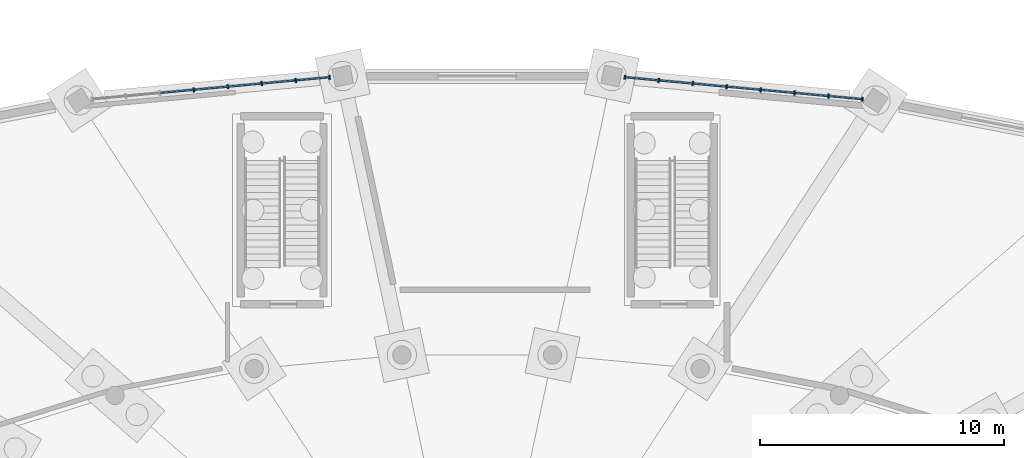
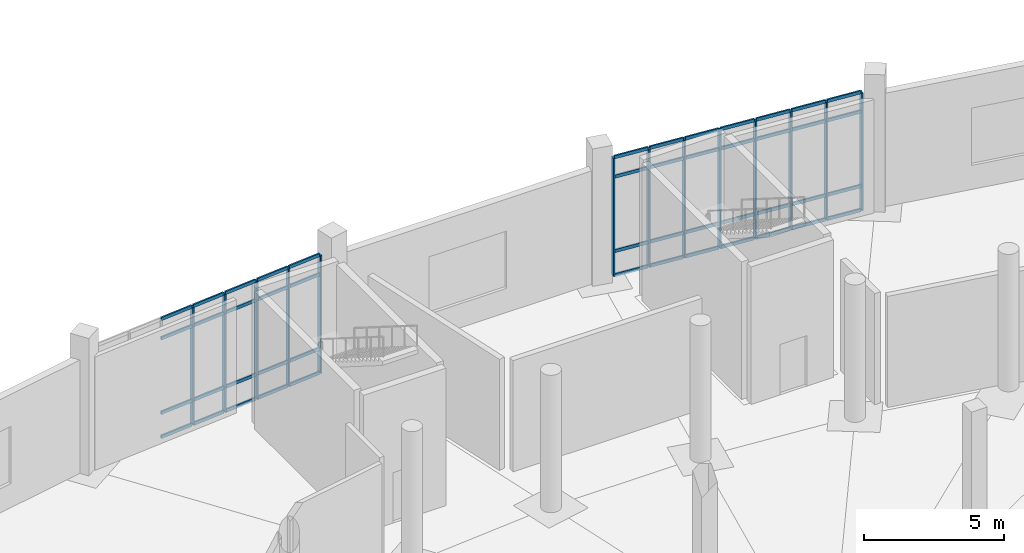
# One storey, part 55 of 140: 61 members, 2 elements without a shape of their own.
"""IFC4 building model written with IfcOpenShell, lengths in metres."""

from ifc_helpers import new_model, si_unit, direction, frame, origin, origin_2d, place, context, subcontext, project, spatial, rectangle, extrude, material, layer, layer_set, material_profile, profile_set, type_object, element, aggregate, save


model = new_model("IFC4")

# Units and contexts
model_context = context("Model", 3, precision=1e-05, world=origin(), true_north=direction((0.0, 1.0)))
body_context = subcontext(model_context, "Body", "Model", "MODEL_VIEW")
ifc_project = project(units=[si_unit("LENGTHUNIT", "METRE"), si_unit("AREAUNIT", "SQUARE_METRE"), si_unit("VOLUMEUNIT", "CUBIC_METRE"), si_unit("PLANEANGLEUNIT", "RADIAN"), si_unit("MASSUNIT", "GRAM", prefix="KILO")], contexts=[model_context])

# Site, building, storey
site_placement = place(None, origin())
site = spatial("IfcSite", under=ifc_project, at=site_placement, CompositionType="ELEMENT")
building_placement = place(site_placement, origin())
building = spatial("IfcBuilding", under=site, at=building_placement, Name="Corvandel Quay Wholesale Market", CompositionType="ELEMENT")
storey_placement = place(building_placement, origin())
storey = spatial("IfcBuildingStorey", under=building, at=storey_placement, Name="L00", CompositionType="ELEMENT", Elevation=0.0)

# Curtain wall, members
ifc_material_1 = material(Name="Bronze anodised aluminium and low-E insulated glazing", Category="aluminium")
ifc_layer_1 = layer(ifc_material_1, 0.197998046875)
ifc_layer_set_1 = layer_set([ifc_layer_1], Name="Bronze anodised aluminium and low-E insulated glazing")
curtain_wall_type_1 = type_object("IfcCurtainWallType", Name="Stick Curtain Wall System CW09 H3810", PredefinedType="NOTDEFINED", material=ifc_layer_set_1)
curtain_wall_1_placement = place(storey_placement, origin())
curtain_wall_1 = element("IfcCurtainWall", 1, at=curtain_wall_1_placement, inside=storey, type_object=curtain_wall_type_1, Name="Curtain Wall CW-0096", PredefinedType="NOTDEFINED")
ifc_material_2 = material(Name="Anodised aluminium 6063-T6", Category="aluminium")
ifc_material_profile_1 = material_profile(ifc_material_2, rectangle(XDim=0.06494140625, YDim=0.179931640625, at=origin_2d()), Name="ALU-MUL-65x180")
ifc_profile_set_1 = profile_set([ifc_material_profile_1], Name="Anodised aluminium 6063-T6")
member_type_1 = type_object("IfcMemberType", Name="Curtain Wall Mullion ML01 65x180", PredefinedType="MULLION", material=ifc_profile_set_1)
member_1_placement = place(storey_placement, frame((129.79736328125, 141.05078125, 0.0), z_axis=(0.0, 0.0, 1.0), x_axis=(-0.995756880939, 0.092023008338, 0.0)))
member_1 = element("IfcMember", 2, at=member_1_placement, type_object=member_type_1, Name="Mullion CW-0096-M00", PredefinedType="MULLION", context=body_context, shape_type="SweptSolid", body=[
    extrude(rectangle(XDim=0.06494140625, YDim=0.179931640625, at=origin_2d()), origin(), (0.0, 0.0, 1.0), 5.14990234375),
])
member_2_placement = place(storey_placement, frame((128.405517578125, 141.17919921875, 0.0), z_axis=(0.0, 0.0, 1.0), x_axis=(-0.995756880939, 0.092023008338, 0.0)))
member_2 = element("IfcMember", 3, at=member_2_placement, type_object=member_type_1, Name="Mullion CW-0096-M01", PredefinedType="MULLION", context=body_context, shape_type="SweptSolid", body=[
    extrude(rectangle(XDim=0.06494140625, YDim=0.179931640625, at=origin_2d()), origin(), (0.0, 0.0, 1.0), 5.14990234375),
])
member_3_placement = place(storey_placement, frame((127.013427734375, 141.3076171875, 0.0), z_axis=(0.0, 0.0, 1.0), x_axis=(-0.995756880939, 0.092023008338, 0.0)))
member_3 = element("IfcMember", 4, at=member_3_placement, type_object=member_type_1, Name="Mullion CW-0096-M02", PredefinedType="MULLION", context=body_context, shape_type="SweptSolid", body=[
    extrude(rectangle(XDim=0.06494140625, YDim=0.179931640625, at=origin_2d()), origin(), (0.0, 0.0, 1.0), 5.14990234375),
])
member_4_placement = place(storey_placement, frame((125.62158203125, 141.436279296875, 0.0), z_axis=(0.0, 0.0, 1.0), x_axis=(-0.995756880939, 0.092023008338, 0.0)))
member_4 = element("IfcMember", 5, at=member_4_placement, type_object=member_type_1, Name="Mullion CW-0096-M03", PredefinedType="MULLION", context=body_context, shape_type="SweptSolid", body=[
    extrude(rectangle(XDim=0.06494140625, YDim=0.179931640625, at=origin_2d()), origin(), (0.0, 0.0, 1.0), 5.14990234375),
])
member_5_placement = place(storey_placement, frame((124.2294921875, 141.564697265625, 0.0), z_axis=(0.0, 0.0, 1.0), x_axis=(-0.995756880939, 0.092023008338, 0.0)))
member_5 = element("IfcMember", 6, at=member_5_placement, type_object=member_type_1, Name="Mullion CW-0096-M04", PredefinedType="MULLION", context=body_context, shape_type="SweptSolid", body=[
    extrude(rectangle(XDim=0.06494140625, YDim=0.179931640625, at=origin_2d()), origin(), (0.0, 0.0, 1.0), 5.14990234375),
])
member_6_placement = place(storey_placement, frame((122.837646484375, 141.693359375, 0.0), z_axis=(0.0, 0.0, 1.0), x_axis=(-0.995756880939, 0.092023008338, 0.0)))
member_6 = element("IfcMember", 7, at=member_6_placement, type_object=member_type_1, Name="Mullion CW-0096-M05", PredefinedType="MULLION", context=body_context, shape_type="SweptSolid", body=[
    extrude(rectangle(XDim=0.06494140625, YDim=0.179931640625, at=origin_2d()), origin(), (0.0, 0.0, 1.0), 5.14990234375),
])
member_7_placement = place(storey_placement, frame((121.445556640625, 141.82177734375, 0.0), z_axis=(0.0, 0.0, 1.0), x_axis=(-0.995756880939, 0.092023008338, 0.0)))
member_7 = element("IfcMember", 8, at=member_7_placement, type_object=member_type_1, Name="Mullion CW-0096-M06", PredefinedType="MULLION", context=body_context, shape_type="SweptSolid", body=[
    extrude(rectangle(XDim=0.06494140625, YDim=0.179931640625, at=origin_2d()), origin(), (0.0, 0.0, 1.0), 5.14990234375),
])
member_8_placement = place(storey_placement, frame((120.0537109375, 141.9501953125, 0.0), z_axis=(0.0, 0.0, 1.0), x_axis=(-0.995756880939, 0.092023008338, 0.0)))
member_8 = element("IfcMember", 9, at=member_8_placement, type_object=member_type_1, Name="Mullion CW-0096-M07", PredefinedType="MULLION", context=body_context, shape_type="SweptSolid", body=[
    extrude(rectangle(XDim=0.06494140625, YDim=0.179931640625, at=origin_2d()), origin(), (0.0, 0.0, 1.0), 5.14990234375),
])

ifc_layer_2 = layer(ifc_material_1, 0.162109375)
ifc_layer_set_2 = layer_set([ifc_layer_2], Name="Bronze anodised aluminium and low-E insulated glazing")
curtain_wall_type_2 = type_object("IfcCurtainWallType", Name="Stick Curtain Wall System CW11 H3990", PredefinedType="NOTDEFINED", material=ifc_layer_set_2)
curtain_wall_2_placement = place(storey_placement, origin())
curtain_wall_2 = element("IfcCurtainWall", 10, at=curtain_wall_2_placement, inside=storey, type_object=curtain_wall_type_2, Name="Curtain Wall CW-0098", PredefinedType="NOTDEFINED")
member_9_placement = place(storey_placement, frame((107.9462890625, 141.9501953125, 0.0), z_axis=(0.0, 0.0, 1.0), x_axis=(0.995756880939, 0.092023008338, 0.0)))
member_9 = element("IfcMember", 11, at=member_9_placement, type_object=member_type_1, Name="Mullion CW-0098-M00", PredefinedType="MULLION", context=body_context, shape_type="SweptSolid", body=[
    extrude(rectangle(XDim=0.06494140625, YDim=0.179931640625, at=origin_2d()), origin(), (0.0, 0.0, 1.0), 5.14990234375),
])
member_10_placement = place(storey_placement, frame((106.554443359375, 141.82177734375, 0.0), z_axis=(0.0, 0.0, 1.0), x_axis=(0.995756880939, 0.092023008338, 0.0)))
member_10 = element("IfcMember", 12, at=member_10_placement, type_object=member_type_1, Name="Mullion CW-0098-M01", PredefinedType="MULLION", context=body_context, shape_type="SweptSolid", body=[
    extrude(rectangle(XDim=0.06494140625, YDim=0.179931640625, at=origin_2d()), origin(), (0.0, 0.0, 1.0), 5.14990234375),
])
member_11_placement = place(storey_placement, frame((105.162353515625, 141.693359375, 0.0), z_axis=(0.0, 0.0, 1.0), x_axis=(0.995756880939, 0.092023008338, 0.0)))
member_11 = element("IfcMember", 13, at=member_11_placement, type_object=member_type_1, Name="Mullion CW-0098-M02", PredefinedType="MULLION", context=body_context, shape_type="SweptSolid", body=[
    extrude(rectangle(XDim=0.06494140625, YDim=0.179931640625, at=origin_2d()), origin(), (0.0, 0.0, 1.0), 5.14990234375),
])
member_12_placement = place(storey_placement, frame((103.7705078125, 141.564697265625, 0.0), z_axis=(0.0, 0.0, 1.0), x_axis=(0.995756880939, 0.092023008338, 0.0)))
member_12 = element("IfcMember", 14, at=member_12_placement, type_object=member_type_1, Name="Mullion CW-0098-M03", PredefinedType="MULLION", context=body_context, shape_type="SweptSolid", body=[
    extrude(rectangle(XDim=0.06494140625, YDim=0.179931640625, at=origin_2d()), origin(), (0.0, 0.0, 1.0), 5.14990234375),
])
member_13_placement = place(storey_placement, frame((102.37841796875, 141.436279296875, 0.0), z_axis=(0.0, 0.0, 1.0), x_axis=(0.995756880939, 0.092023008338, 0.0)))
member_13 = element("IfcMember", 15, at=member_13_placement, type_object=member_type_1, Name="Mullion CW-0098-M04", PredefinedType="MULLION", context=body_context, shape_type="SweptSolid", body=[
    extrude(rectangle(XDim=0.06494140625, YDim=0.179931640625, at=origin_2d()), origin(), (0.0, 0.0, 1.0), 5.14990234375),
])

# Member
ifc_material_profile_2 = material_profile(ifc_material_2, rectangle(XDim=0.06494140625, YDim=0.139892578125, at=origin_2d()), Name="ALU-TRN-65x140")
ifc_profile_set_2 = profile_set([ifc_material_profile_2], Name="Anodised aluminium 6063-T6")
member_type_2 = type_object("IfcMemberType", Name="Curtain Wall Transom TR01 65x140", PredefinedType="USERDEFINED", material=ifc_profile_set_2)
member_14_placement = place(storey_placement, frame((129.764892578125, 141.0537109375, 0.0), z_axis=(-0.99576306711, 0.091956044829, 0.0), x_axis=(-0.091956044829, -0.99576306711, 0.0)))
member_14 = element("IfcMember", 16, at=member_14_placement, type_object=member_type_2, Name="Transom CW-0096-T00-0", ObjectType="TRANSOM", PredefinedType="USERDEFINED", context=body_context, shape_type="SweptSolid", body=[
    extrude(rectangle(XDim=0.06494140625, YDim=0.139892578125, at=origin_2d()), origin(), (0.0, 0.0, 1.0), 1.332763671875),
])

member_15_placement = place(storey_placement, frame((129.764892578125, 141.0537109375, 1.050048828125), z_axis=(-0.99576306711, 0.091956044829, 0.0), x_axis=(-0.091956044829, -0.99576306711, 0.0)))
member_15 = element("IfcMember", 17, at=member_15_placement, type_object=member_type_2, Name="Transom CW-0096-T00-1", ObjectType="TRANSOM", PredefinedType="USERDEFINED", context=body_context, shape_type="SweptSolid", body=[
    extrude(rectangle(XDim=0.06494140625, YDim=0.139892578125, at=origin_2d()), origin(), (0.0, 0.0, 1.0), 1.332763671875),
])

member_16_placement = place(storey_placement, frame((129.764892578125, 141.0537109375, 4.300048828125), z_axis=(-0.99576306711, 0.091956044829, 0.0), x_axis=(-0.091956044829, -0.99576306711, 0.0)))
member_16 = element("IfcMember", 18, at=member_16_placement, type_object=member_type_2, Name="Transom CW-0096-T00-2", ObjectType="TRANSOM", PredefinedType="USERDEFINED", context=body_context, shape_type="SweptSolid", body=[
    extrude(rectangle(XDim=0.06494140625, YDim=0.139892578125, at=origin_2d()), origin(), (0.0, 0.0, 1.0), 1.332763671875),
])

member_17_placement = place(storey_placement, frame((129.764892578125, 141.0537109375, 5.14990234375), z_axis=(-0.99576306711, 0.091956044829, 0.0), x_axis=(-0.091956044829, -0.99576306711, 0.0)))
member_17 = element("IfcMember", 19, at=member_17_placement, type_object=member_type_2, Name="Transom CW-0096-T00-3", ObjectType="TRANSOM", PredefinedType="USERDEFINED", context=body_context, shape_type="SweptSolid", body=[
    extrude(rectangle(XDim=0.06494140625, YDim=0.139892578125, at=origin_2d()), origin(), (0.0, 0.0, 1.0), 1.332763671875),
])

member_18_placement = place(storey_placement, frame((128.373046875, 141.18212890625, 0.0), z_axis=(-0.99576306711, 0.091956044829, 0.0), x_axis=(-0.091956044829, -0.99576306711, 0.0)))
member_18 = element("IfcMember", 20, at=member_18_placement, type_object=member_type_2, Name="Transom CW-0096-T01-0", ObjectType="TRANSOM", PredefinedType="USERDEFINED", context=body_context, shape_type="SweptSolid", body=[
    extrude(rectangle(XDim=0.06494140625, YDim=0.139892578125, at=origin_2d()), origin(), (0.0, 0.0, 1.0), 1.332763671875),
])

member_19_placement = place(storey_placement, frame((128.373046875, 141.18212890625, 1.050048828125), z_axis=(-0.99576306711, 0.091956044829, 0.0), x_axis=(-0.091956044829, -0.99576306711, 0.0)))
member_19 = element("IfcMember", 21, at=member_19_placement, type_object=member_type_2, Name="Transom CW-0096-T01-1", ObjectType="TRANSOM", PredefinedType="USERDEFINED", context=body_context, shape_type="SweptSolid", body=[
    extrude(rectangle(XDim=0.06494140625, YDim=0.139892578125, at=origin_2d()), origin(), (0.0, 0.0, 1.0), 1.332763671875),
])

member_20_placement = place(storey_placement, frame((128.373046875, 141.18212890625, 4.300048828125), z_axis=(-0.99576306711, 0.091956044829, 0.0), x_axis=(-0.091956044829, -0.99576306711, 0.0)))
member_20 = element("IfcMember", 22, at=member_20_placement, type_object=member_type_2, Name="Transom CW-0096-T01-2", ObjectType="TRANSOM", PredefinedType="USERDEFINED", context=body_context, shape_type="SweptSolid", body=[
    extrude(rectangle(XDim=0.06494140625, YDim=0.139892578125, at=origin_2d()), origin(), (0.0, 0.0, 1.0), 1.332763671875),
])

member_21_placement = place(storey_placement, frame((128.373046875, 141.18212890625, 5.14990234375), z_axis=(-0.99576306711, 0.091956044829, 0.0), x_axis=(-0.091956044829, -0.99576306711, 0.0)))
member_21 = element("IfcMember", 23, at=member_21_placement, type_object=member_type_2, Name="Transom CW-0096-T01-3", ObjectType="TRANSOM", PredefinedType="USERDEFINED", context=body_context, shape_type="SweptSolid", body=[
    extrude(rectangle(XDim=0.06494140625, YDim=0.139892578125, at=origin_2d()), origin(), (0.0, 0.0, 1.0), 1.332763671875),
])

member_22_placement = place(storey_placement, frame((126.981201171875, 141.310791015625, 0.0), z_axis=(-0.995764615635, 0.091939274793, 0.0), x_axis=(-0.091939274793, -0.995764615635, 0.0)))
member_22 = element("IfcMember", 24, at=member_22_placement, type_object=member_type_2, Name="Transom CW-0096-T02-0", ObjectType="TRANSOM", PredefinedType="USERDEFINED", context=body_context, shape_type="SweptSolid", body=[
    extrude(rectangle(XDim=0.06494140625, YDim=0.139892578125, at=origin_2d()), origin(), (0.0, 0.0, 1.0), 1.3330078125),
])

member_23_placement = place(storey_placement, frame((126.981201171875, 141.310791015625, 1.050048828125), z_axis=(-0.995764615635, 0.091939274793, 0.0), x_axis=(-0.091939274793, -0.995764615635, 0.0)))
member_23 = element("IfcMember", 25, at=member_23_placement, type_object=member_type_2, Name="Transom CW-0096-T02-1", ObjectType="TRANSOM", PredefinedType="USERDEFINED", context=body_context, shape_type="SweptSolid", body=[
    extrude(rectangle(XDim=0.06494140625, YDim=0.139892578125, at=origin_2d()), origin(), (0.0, 0.0, 1.0), 1.3330078125),
])

member_24_placement = place(storey_placement, frame((126.981201171875, 141.310791015625, 4.300048828125), z_axis=(-0.995764615635, 0.091939274793, 0.0), x_axis=(-0.091939274793, -0.995764615635, 0.0)))
member_24 = element("IfcMember", 26, at=member_24_placement, type_object=member_type_2, Name="Transom CW-0096-T02-2", ObjectType="TRANSOM", PredefinedType="USERDEFINED", context=body_context, shape_type="SweptSolid", body=[
    extrude(rectangle(XDim=0.06494140625, YDim=0.139892578125, at=origin_2d()), origin(), (0.0, 0.0, 1.0), 1.3330078125),
])

member_25_placement = place(storey_placement, frame((126.981201171875, 141.310791015625, 5.14990234375), z_axis=(-0.995764615635, 0.091939274793, 0.0), x_axis=(-0.091939274793, -0.995764615635, 0.0)))
member_25 = element("IfcMember", 27, at=member_25_placement, type_object=member_type_2, Name="Transom CW-0096-T02-3", ObjectType="TRANSOM", PredefinedType="USERDEFINED", context=body_context, shape_type="SweptSolid", body=[
    extrude(rectangle(XDim=0.06494140625, YDim=0.139892578125, at=origin_2d()), origin(), (0.0, 0.0, 1.0), 1.3330078125),
])

member_26_placement = place(storey_placement, frame((125.589111328125, 141.439208984375, 0.0), z_axis=(-0.99576306711, 0.091956044829, 0.0), x_axis=(-0.091956044829, -0.99576306711, 0.0)))
member_26 = element("IfcMember", 28, at=member_26_placement, type_object=member_type_2, Name="Transom CW-0096-T03-0", ObjectType="TRANSOM", PredefinedType="USERDEFINED", context=body_context, shape_type="SweptSolid", body=[
    extrude(rectangle(XDim=0.06494140625, YDim=0.139892578125, at=origin_2d()), origin(), (0.0, 0.0, 1.0), 1.332763671875),
])

member_27_placement = place(storey_placement, frame((125.589111328125, 141.439208984375, 1.050048828125), z_axis=(-0.99576306711, 0.091956044829, 0.0), x_axis=(-0.091956044829, -0.99576306711, 0.0)))
member_27 = element("IfcMember", 29, at=member_27_placement, type_object=member_type_2, Name="Transom CW-0096-T03-1", ObjectType="TRANSOM", PredefinedType="USERDEFINED", context=body_context, shape_type="SweptSolid", body=[
    extrude(rectangle(XDim=0.06494140625, YDim=0.139892578125, at=origin_2d()), origin(), (0.0, 0.0, 1.0), 1.332763671875),
])

member_28_placement = place(storey_placement, frame((125.589111328125, 141.439208984375, 4.300048828125), z_axis=(-0.99576306711, 0.091956044829, 0.0), x_axis=(-0.091956044829, -0.99576306711, 0.0)))
member_28 = element("IfcMember", 30, at=member_28_placement, type_object=member_type_2, Name="Transom CW-0096-T03-2", ObjectType="TRANSOM", PredefinedType="USERDEFINED", context=body_context, shape_type="SweptSolid", body=[
    extrude(rectangle(XDim=0.06494140625, YDim=0.139892578125, at=origin_2d()), origin(), (0.0, 0.0, 1.0), 1.332763671875),
])

member_29_placement = place(storey_placement, frame((125.589111328125, 141.439208984375, 5.14990234375), z_axis=(-0.99576306711, 0.091956044829, 0.0), x_axis=(-0.091956044829, -0.99576306711, 0.0)))
member_29 = element("IfcMember", 31, at=member_29_placement, type_object=member_type_2, Name="Transom CW-0096-T03-3", ObjectType="TRANSOM", PredefinedType="USERDEFINED", context=body_context, shape_type="SweptSolid", body=[
    extrude(rectangle(XDim=0.06494140625, YDim=0.139892578125, at=origin_2d()), origin(), (0.0, 0.0, 1.0), 1.332763671875),
])

member_30_placement = place(storey_placement, frame((124.197265625, 141.567626953125, 0.0), z_axis=(-0.995764615635, 0.091939274793, 0.0), x_axis=(-0.091939274793, -0.995764615635, 0.0)))
member_30 = element("IfcMember", 32, at=member_30_placement, type_object=member_type_2, Name="Transom CW-0096-T04-0", ObjectType="TRANSOM", PredefinedType="USERDEFINED", context=body_context, shape_type="SweptSolid", body=[
    extrude(rectangle(XDim=0.06494140625, YDim=0.139892578125, at=origin_2d()), origin(), (0.0, 0.0, 1.0), 1.3330078125),
])

member_31_placement = place(storey_placement, frame((124.197265625, 141.567626953125, 1.050048828125), z_axis=(-0.995764615635, 0.091939274793, 0.0), x_axis=(-0.091939274793, -0.995764615635, 0.0)))
member_31 = element("IfcMember", 33, at=member_31_placement, type_object=member_type_2, Name="Transom CW-0096-T04-1", ObjectType="TRANSOM", PredefinedType="USERDEFINED", context=body_context, shape_type="SweptSolid", body=[
    extrude(rectangle(XDim=0.06494140625, YDim=0.139892578125, at=origin_2d()), origin(), (0.0, 0.0, 1.0), 1.3330078125),
])

member_32_placement = place(storey_placement, frame((124.197265625, 141.567626953125, 4.300048828125), z_axis=(-0.995764615635, 0.091939274793, 0.0), x_axis=(-0.091939274793, -0.995764615635, 0.0)))
member_32 = element("IfcMember", 34, at=member_32_placement, type_object=member_type_2, Name="Transom CW-0096-T04-2", ObjectType="TRANSOM", PredefinedType="USERDEFINED", context=body_context, shape_type="SweptSolid", body=[
    extrude(rectangle(XDim=0.06494140625, YDim=0.139892578125, at=origin_2d()), origin(), (0.0, 0.0, 1.0), 1.3330078125),
])

member_33_placement = place(storey_placement, frame((124.197265625, 141.567626953125, 5.14990234375), z_axis=(-0.995764615635, 0.091939274793, 0.0), x_axis=(-0.091939274793, -0.995764615635, 0.0)))
member_33 = element("IfcMember", 35, at=member_33_placement, type_object=member_type_2, Name="Transom CW-0096-T04-3", ObjectType="TRANSOM", PredefinedType="USERDEFINED", context=body_context, shape_type="SweptSolid", body=[
    extrude(rectangle(XDim=0.06494140625, YDim=0.139892578125, at=origin_2d()), origin(), (0.0, 0.0, 1.0), 1.3330078125),
])

member_34_placement = place(storey_placement, frame((122.80517578125, 141.6962890625, 0.0), z_axis=(-0.99576306711, 0.091956044829, 0.0), x_axis=(-0.091956044829, -0.99576306711, 0.0)))
member_34 = element("IfcMember", 36, at=member_34_placement, type_object=member_type_2, Name="Transom CW-0096-T05-0", ObjectType="TRANSOM", PredefinedType="USERDEFINED", context=body_context, shape_type="SweptSolid", body=[
    extrude(rectangle(XDim=0.06494140625, YDim=0.139892578125, at=origin_2d()), origin(), (0.0, 0.0, 1.0), 1.332763671875),
])

member_35_placement = place(storey_placement, frame((122.80517578125, 141.6962890625, 1.050048828125), z_axis=(-0.99576306711, 0.091956044829, 0.0), x_axis=(-0.091956044829, -0.99576306711, 0.0)))
member_35 = element("IfcMember", 37, at=member_35_placement, type_object=member_type_2, Name="Transom CW-0096-T05-1", ObjectType="TRANSOM", PredefinedType="USERDEFINED", context=body_context, shape_type="SweptSolid", body=[
    extrude(rectangle(XDim=0.06494140625, YDim=0.139892578125, at=origin_2d()), origin(), (0.0, 0.0, 1.0), 1.332763671875),
])

member_36_placement = place(storey_placement, frame((122.80517578125, 141.6962890625, 4.300048828125), z_axis=(-0.99576306711, 0.091956044829, 0.0), x_axis=(-0.091956044829, -0.99576306711, 0.0)))
member_36 = element("IfcMember", 38, at=member_36_placement, type_object=member_type_2, Name="Transom CW-0096-T05-2", ObjectType="TRANSOM", PredefinedType="USERDEFINED", context=body_context, shape_type="SweptSolid", body=[
    extrude(rectangle(XDim=0.06494140625, YDim=0.139892578125, at=origin_2d()), origin(), (0.0, 0.0, 1.0), 1.332763671875),
])

member_37_placement = place(storey_placement, frame((122.80517578125, 141.6962890625, 5.14990234375), z_axis=(-0.99576306711, 0.091956044829, 0.0), x_axis=(-0.091956044829, -0.99576306711, 0.0)))
member_37 = element("IfcMember", 39, at=member_37_placement, type_object=member_type_2, Name="Transom CW-0096-T05-3", ObjectType="TRANSOM", PredefinedType="USERDEFINED", context=body_context, shape_type="SweptSolid", body=[
    extrude(rectangle(XDim=0.06494140625, YDim=0.139892578125, at=origin_2d()), origin(), (0.0, 0.0, 1.0), 1.332763671875),
])

member_38_placement = place(storey_placement, frame((121.413330078125, 141.82470703125, 0.0), z_axis=(-0.99576306711, 0.091956044829, 0.0), x_axis=(-0.091956044829, -0.99576306711, 0.0)))
member_38 = element("IfcMember", 40, at=member_38_placement, type_object=member_type_2, Name="Transom CW-0096-T06-0", ObjectType="TRANSOM", PredefinedType="USERDEFINED", context=body_context, shape_type="SweptSolid", body=[
    extrude(rectangle(XDim=0.06494140625, YDim=0.139892578125, at=origin_2d()), origin(), (0.0, 0.0, 1.0), 1.332763671875),
])

member_39_placement = place(storey_placement, frame((121.413330078125, 141.82470703125, 1.050048828125), z_axis=(-0.99576306711, 0.091956044829, 0.0), x_axis=(-0.091956044829, -0.99576306711, 0.0)))
member_39 = element("IfcMember", 41, at=member_39_placement, type_object=member_type_2, Name="Transom CW-0096-T06-1", ObjectType="TRANSOM", PredefinedType="USERDEFINED", context=body_context, shape_type="SweptSolid", body=[
    extrude(rectangle(XDim=0.06494140625, YDim=0.139892578125, at=origin_2d()), origin(), (0.0, 0.0, 1.0), 1.332763671875),
])

member_40_placement = place(storey_placement, frame((121.413330078125, 141.82470703125, 4.300048828125), z_axis=(-0.99576306711, 0.091956044829, 0.0), x_axis=(-0.091956044829, -0.99576306711, 0.0)))
member_40 = element("IfcMember", 42, at=member_40_placement, type_object=member_type_2, Name="Transom CW-0096-T06-2", ObjectType="TRANSOM", PredefinedType="USERDEFINED", context=body_context, shape_type="SweptSolid", body=[
    extrude(rectangle(XDim=0.06494140625, YDim=0.139892578125, at=origin_2d()), origin(), (0.0, 0.0, 1.0), 1.332763671875),
])

member_41_placement = place(storey_placement, frame((121.413330078125, 141.82470703125, 5.14990234375), z_axis=(-0.99576306711, 0.091956044829, 0.0), x_axis=(-0.091956044829, -0.99576306711, 0.0)))
member_41 = element("IfcMember", 43, at=member_41_placement, type_object=member_type_2, Name="Transom CW-0096-T06-3", ObjectType="TRANSOM", PredefinedType="USERDEFINED", context=body_context, shape_type="SweptSolid", body=[
    extrude(rectangle(XDim=0.06494140625, YDim=0.139892578125, at=origin_2d()), origin(), (0.0, 0.0, 1.0), 1.332763671875),
])

aggregate(curtain_wall_1, [member_1, member_2, member_3, member_4, member_5, member_6, member_7, member_8, member_14, member_15, member_16, member_17, member_18, member_19, member_20, member_21, member_22, member_23, member_24, member_25, member_26, member_27, member_28, member_29, member_30, member_31, member_32, member_33, member_34, member_35, member_36, member_37, member_38, member_39, member_40, member_41])

member_42_placement = place(storey_placement, frame((107.913818359375, 141.947265625, 0.0), z_axis=(-0.99576306711, -0.091956044829, 0.0), x_axis=(0.091956044829, -0.99576306711, 0.0)))
member_42 = element("IfcMember", 44, at=member_42_placement, type_object=member_type_2, Name="Transom CW-0098-T00-0", ObjectType="TRANSOM", PredefinedType="USERDEFINED", context=body_context, shape_type="SweptSolid", body=[
    extrude(rectangle(XDim=0.06494140625, YDim=0.139892578125, at=origin_2d()), origin(), (0.0, 0.0, 1.0), 1.332763671875),
])

member_43_placement = place(storey_placement, frame((107.913818359375, 141.947265625, 1.050048828125), z_axis=(-0.99576306711, -0.091956044829, 0.0), x_axis=(0.091956044829, -0.99576306711, 0.0)))
member_43 = element("IfcMember", 45, at=member_43_placement, type_object=member_type_2, Name="Transom CW-0098-T00-1", ObjectType="TRANSOM", PredefinedType="USERDEFINED", context=body_context, shape_type="SweptSolid", body=[
    extrude(rectangle(XDim=0.06494140625, YDim=0.139892578125, at=origin_2d()), origin(), (0.0, 0.0, 1.0), 1.332763671875),
])

member_44_placement = place(storey_placement, frame((107.913818359375, 141.947265625, 4.300048828125), z_axis=(-0.99576306711, -0.091956044829, 0.0), x_axis=(0.091956044829, -0.99576306711, 0.0)))
member_44 = element("IfcMember", 46, at=member_44_placement, type_object=member_type_2, Name="Transom CW-0098-T00-2", ObjectType="TRANSOM", PredefinedType="USERDEFINED", context=body_context, shape_type="SweptSolid", body=[
    extrude(rectangle(XDim=0.06494140625, YDim=0.139892578125, at=origin_2d()), origin(), (0.0, 0.0, 1.0), 1.332763671875),
])

member_45_placement = place(storey_placement, frame((107.913818359375, 141.947265625, 5.14990234375), z_axis=(-0.99576306711, -0.091956044829, 0.0), x_axis=(0.091956044829, -0.99576306711, 0.0)))
member_45 = element("IfcMember", 47, at=member_45_placement, type_object=member_type_2, Name="Transom CW-0098-T00-3", ObjectType="TRANSOM", PredefinedType="USERDEFINED", context=body_context, shape_type="SweptSolid", body=[
    extrude(rectangle(XDim=0.06494140625, YDim=0.139892578125, at=origin_2d()), origin(), (0.0, 0.0, 1.0), 1.332763671875),
])

member_46_placement = place(storey_placement, frame((106.52197265625, 141.81884765625, 0.0), z_axis=(-0.99576306711, -0.091956044829, 0.0), x_axis=(0.091956044829, -0.99576306711, 0.0)))
member_46 = element("IfcMember", 48, at=member_46_placement, type_object=member_type_2, Name="Transom CW-0098-T01-0", ObjectType="TRANSOM", PredefinedType="USERDEFINED", context=body_context, shape_type="SweptSolid", body=[
    extrude(rectangle(XDim=0.06494140625, YDim=0.139892578125, at=origin_2d()), origin(), (0.0, 0.0, 1.0), 1.332763671875),
])

member_47_placement = place(storey_placement, frame((106.52197265625, 141.81884765625, 1.050048828125), z_axis=(-0.99576306711, -0.091956044829, 0.0), x_axis=(0.091956044829, -0.99576306711, 0.0)))
member_47 = element("IfcMember", 49, at=member_47_placement, type_object=member_type_2, Name="Transom CW-0098-T01-1", ObjectType="TRANSOM", PredefinedType="USERDEFINED", context=body_context, shape_type="SweptSolid", body=[
    extrude(rectangle(XDim=0.06494140625, YDim=0.139892578125, at=origin_2d()), origin(), (0.0, 0.0, 1.0), 1.332763671875),
])

member_48_placement = place(storey_placement, frame((106.52197265625, 141.81884765625, 4.300048828125), z_axis=(-0.99576306711, -0.091956044829, 0.0), x_axis=(0.091956044829, -0.99576306711, 0.0)))
member_48 = element("IfcMember", 50, at=member_48_placement, type_object=member_type_2, Name="Transom CW-0098-T01-2", ObjectType="TRANSOM", PredefinedType="USERDEFINED", context=body_context, shape_type="SweptSolid", body=[
    extrude(rectangle(XDim=0.06494140625, YDim=0.139892578125, at=origin_2d()), origin(), (0.0, 0.0, 1.0), 1.332763671875),
])

member_49_placement = place(storey_placement, frame((106.52197265625, 141.81884765625, 5.14990234375), z_axis=(-0.99576306711, -0.091956044829, 0.0), x_axis=(0.091956044829, -0.99576306711, 0.0)))
member_49 = element("IfcMember", 51, at=member_49_placement, type_object=member_type_2, Name="Transom CW-0098-T01-3", ObjectType="TRANSOM", PredefinedType="USERDEFINED", context=body_context, shape_type="SweptSolid", body=[
    extrude(rectangle(XDim=0.06494140625, YDim=0.139892578125, at=origin_2d()), origin(), (0.0, 0.0, 1.0), 1.332763671875),
])

member_50_placement = place(storey_placement, frame((105.130126953125, 141.690185546875, 0.0), z_axis=(-0.995764615635, -0.091939274793, 0.0), x_axis=(0.091939274793, -0.995764615635, 0.0)))
member_50 = element("IfcMember", 52, at=member_50_placement, type_object=member_type_2, Name="Transom CW-0098-T02-0", ObjectType="TRANSOM", PredefinedType="USERDEFINED", context=body_context, shape_type="SweptSolid", body=[
    extrude(rectangle(XDim=0.06494140625, YDim=0.139892578125, at=origin_2d()), origin(), (0.0, 0.0, 1.0), 1.3330078125),
])

member_51_placement = place(storey_placement, frame((105.130126953125, 141.690185546875, 1.050048828125), z_axis=(-0.995764615635, -0.091939274793, 0.0), x_axis=(0.091939274793, -0.995764615635, 0.0)))
member_51 = element("IfcMember", 53, at=member_51_placement, type_object=member_type_2, Name="Transom CW-0098-T02-1", ObjectType="TRANSOM", PredefinedType="USERDEFINED", context=body_context, shape_type="SweptSolid", body=[
    extrude(rectangle(XDim=0.06494140625, YDim=0.139892578125, at=origin_2d()), origin(), (0.0, 0.0, 1.0), 1.3330078125),
])

member_52_placement = place(storey_placement, frame((105.130126953125, 141.690185546875, 4.300048828125), z_axis=(-0.995764615635, -0.091939274793, 0.0), x_axis=(0.091939274793, -0.995764615635, 0.0)))
member_52 = element("IfcMember", 54, at=member_52_placement, type_object=member_type_2, Name="Transom CW-0098-T02-2", ObjectType="TRANSOM", PredefinedType="USERDEFINED", context=body_context, shape_type="SweptSolid", body=[
    extrude(rectangle(XDim=0.06494140625, YDim=0.139892578125, at=origin_2d()), origin(), (0.0, 0.0, 1.0), 1.3330078125),
])

member_53_placement = place(storey_placement, frame((105.130126953125, 141.690185546875, 5.14990234375), z_axis=(-0.995764615635, -0.091939274793, 0.0), x_axis=(0.091939274793, -0.995764615635, 0.0)))
member_53 = element("IfcMember", 55, at=member_53_placement, type_object=member_type_2, Name="Transom CW-0098-T02-3", ObjectType="TRANSOM", PredefinedType="USERDEFINED", context=body_context, shape_type="SweptSolid", body=[
    extrude(rectangle(XDim=0.06494140625, YDim=0.139892578125, at=origin_2d()), origin(), (0.0, 0.0, 1.0), 1.3330078125),
])

member_54_placement = place(storey_placement, frame((103.738037109375, 141.561767578125, 0.0), z_axis=(-0.99576306711, -0.091956044829, 0.0), x_axis=(0.091956044829, -0.99576306711, 0.0)))
member_54 = element("IfcMember", 56, at=member_54_placement, type_object=member_type_2, Name="Transom CW-0098-T03-0", ObjectType="TRANSOM", PredefinedType="USERDEFINED", context=body_context, shape_type="SweptSolid", body=[
    extrude(rectangle(XDim=0.06494140625, YDim=0.139892578125, at=origin_2d()), origin(), (0.0, 0.0, 1.0), 1.332763671875),
])

member_55_placement = place(storey_placement, frame((103.738037109375, 141.561767578125, 1.050048828125), z_axis=(-0.99576306711, -0.091956044829, 0.0), x_axis=(0.091956044829, -0.99576306711, 0.0)))
member_55 = element("IfcMember", 57, at=member_55_placement, type_object=member_type_2, Name="Transom CW-0098-T03-1", ObjectType="TRANSOM", PredefinedType="USERDEFINED", context=body_context, shape_type="SweptSolid", body=[
    extrude(rectangle(XDim=0.06494140625, YDim=0.139892578125, at=origin_2d()), origin(), (0.0, 0.0, 1.0), 1.332763671875),
])

member_56_placement = place(storey_placement, frame((103.738037109375, 141.561767578125, 4.300048828125), z_axis=(-0.99576306711, -0.091956044829, 0.0), x_axis=(0.091956044829, -0.99576306711, 0.0)))
member_56 = element("IfcMember", 58, at=member_56_placement, type_object=member_type_2, Name="Transom CW-0098-T03-2", ObjectType="TRANSOM", PredefinedType="USERDEFINED", context=body_context, shape_type="SweptSolid", body=[
    extrude(rectangle(XDim=0.06494140625, YDim=0.139892578125, at=origin_2d()), origin(), (0.0, 0.0, 1.0), 1.332763671875),
])

member_57_placement = place(storey_placement, frame((103.738037109375, 141.561767578125, 5.14990234375), z_axis=(-0.99576306711, -0.091956044829, 0.0), x_axis=(0.091956044829, -0.99576306711, 0.0)))
member_57 = element("IfcMember", 59, at=member_57_placement, type_object=member_type_2, Name="Transom CW-0098-T03-3", ObjectType="TRANSOM", PredefinedType="USERDEFINED", context=body_context, shape_type="SweptSolid", body=[
    extrude(rectangle(XDim=0.06494140625, YDim=0.139892578125, at=origin_2d()), origin(), (0.0, 0.0, 1.0), 1.332763671875),
])

member_58_placement = place(storey_placement, frame((102.34619140625, 141.433349609375, 0.0), z_axis=(-0.995764615635, -0.091939274793, 0.0), x_axis=(0.091939274793, -0.995764615635, 0.0)))
member_58 = element("IfcMember", 60, at=member_58_placement, type_object=member_type_2, Name="Transom CW-0098-T04-0", ObjectType="TRANSOM", PredefinedType="USERDEFINED", context=body_context, shape_type="SweptSolid", body=[
    extrude(rectangle(XDim=0.06494140625, YDim=0.139892578125, at=origin_2d()), origin(), (0.0, 0.0, 1.0), 1.3330078125),
])

member_59_placement = place(storey_placement, frame((102.34619140625, 141.433349609375, 1.050048828125), z_axis=(-0.995764615635, -0.091939274793, 0.0), x_axis=(0.091939274793, -0.995764615635, 0.0)))
member_59 = element("IfcMember", 61, at=member_59_placement, type_object=member_type_2, Name="Transom CW-0098-T04-1", ObjectType="TRANSOM", PredefinedType="USERDEFINED", context=body_context, shape_type="SweptSolid", body=[
    extrude(rectangle(XDim=0.06494140625, YDim=0.139892578125, at=origin_2d()), origin(), (0.0, 0.0, 1.0), 1.3330078125),
])

member_60_placement = place(storey_placement, frame((102.34619140625, 141.433349609375, 4.300048828125), z_axis=(-0.995764615635, -0.091939274793, 0.0), x_axis=(0.091939274793, -0.995764615635, 0.0)))
member_60 = element("IfcMember", 62, at=member_60_placement, type_object=member_type_2, Name="Transom CW-0098-T04-2", ObjectType="TRANSOM", PredefinedType="USERDEFINED", context=body_context, shape_type="SweptSolid", body=[
    extrude(rectangle(XDim=0.06494140625, YDim=0.139892578125, at=origin_2d()), origin(), (0.0, 0.0, 1.0), 1.3330078125),
])

member_61_placement = place(storey_placement, frame((102.34619140625, 141.433349609375, 5.14990234375), z_axis=(-0.995764615635, -0.091939274793, 0.0), x_axis=(0.091939274793, -0.995764615635, 0.0)))
member_61 = element("IfcMember", 63, at=member_61_placement, type_object=member_type_2, Name="Transom CW-0098-T04-3", ObjectType="TRANSOM", PredefinedType="USERDEFINED", context=body_context, shape_type="SweptSolid", body=[
    extrude(rectangle(XDim=0.06494140625, YDim=0.139892578125, at=origin_2d()), origin(), (0.0, 0.0, 1.0), 1.3330078125),
])

aggregate(curtain_wall_2, [member_9, member_10, member_11, member_12, member_13, member_42, member_43, member_44, member_45, member_46, member_47, member_48, member_49, member_50, member_51, member_52, member_53, member_54, member_55, member_56, member_57, member_58, member_59, member_60, member_61])

save(model, "model.ifc")
